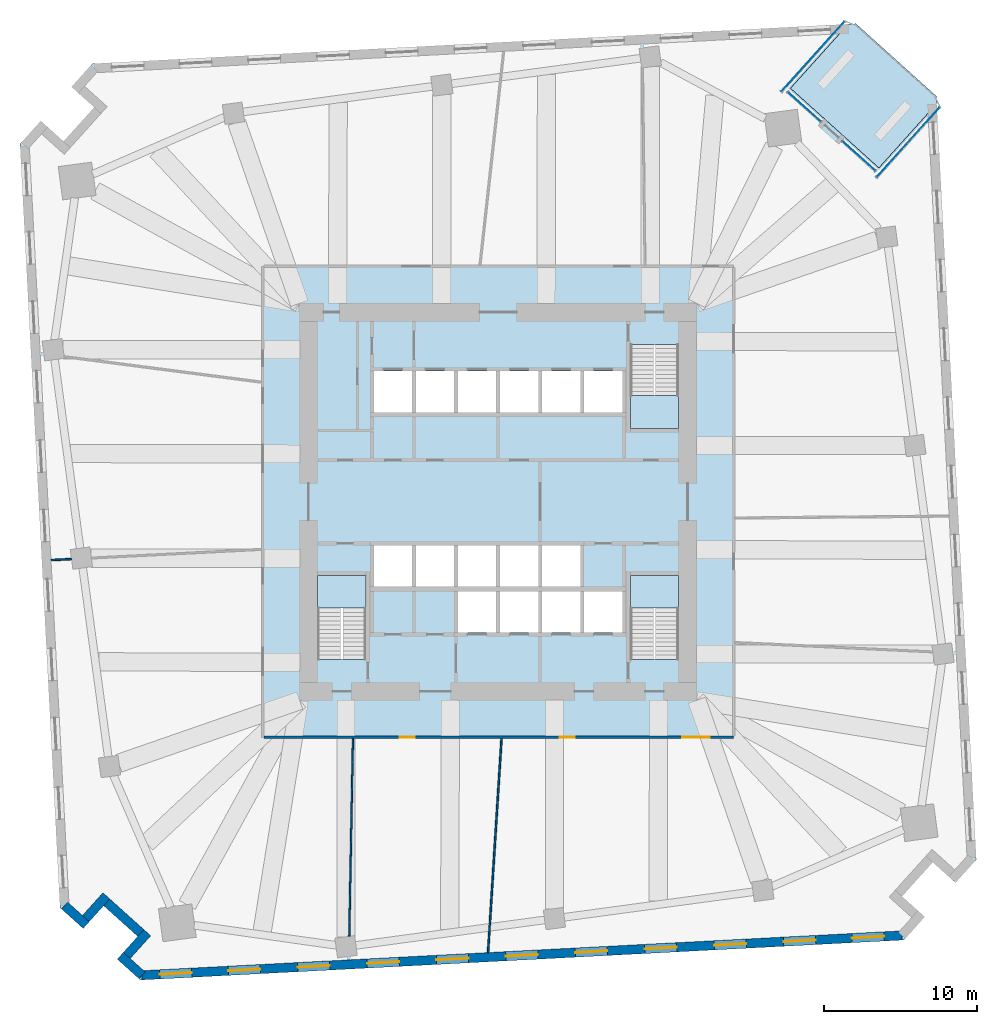
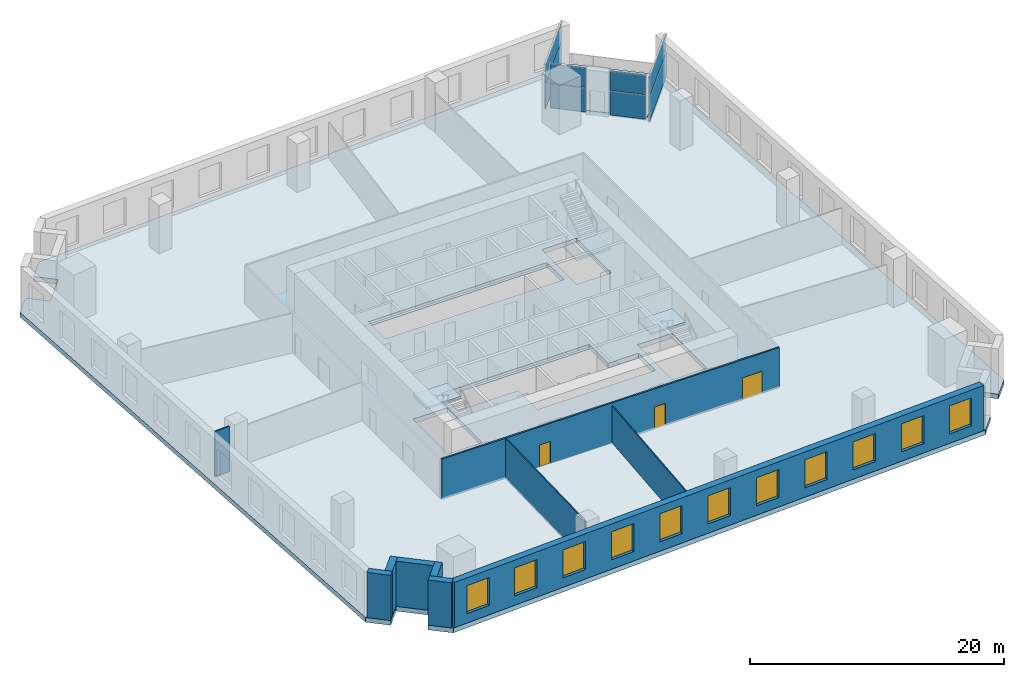
# One storey, part 3 of 10: 11 windows, 10 walls, 8 plates, 5 slabs, 3 doors, 14 openings, 7 elements without a shape of their own.
"""IFC4 building model written with IfcOpenShell, lengths in metres."""

from ifc_helpers import new_model, si_unit, direction, frame, frame_2d, origin, origin_2d, place, context, subcontext, project, spatial, polyline, rectangle, outline, extrude, material, layer, layer_set, type_object, element, fill, aggregate, save


model = new_model("IFC4")

# Units and contexts
model_context = context("Model", 3, precision=1e-05, world=origin(), true_north=direction((0.0, 1.0)))
body_context = subcontext(model_context, "Body", "Model", "MODEL_VIEW")
ifc_project = project(units=[si_unit("LENGTHUNIT", "METRE"), si_unit("AREAUNIT", "SQUARE_METRE"), si_unit("VOLUMEUNIT", "CUBIC_METRE"), si_unit("PLANEANGLEUNIT", "RADIAN"), si_unit("MASSUNIT", "GRAM", prefix="KILO")], contexts=[model_context])

# Site, building, storey
site_placement = place(None, origin())
site = spatial("IfcSite", under=ifc_project, at=site_placement, CompositionType="ELEMENT")
building_placement = place(site_placement, origin())
building = spatial("IfcBuilding", under=site, at=building_placement, Name="Dilmun Exchange Tower", CompositionType="ELEMENT")
storey_placement = place(building_placement, frame((0.0, 0.0, 27.300048828125)))
storey = spatial("IfcBuildingStorey", under=building, at=storey_placement, Name="L06", CompositionType="ELEMENT", Elevation=27.300048828125)

# Stair, slab
ifc_material_1 = material(Name="Concrete C40/50", Category="concrete")
stair_type = type_object("IfcStairType", Name="Exit stair 1500 half-turn", PredefinedType="HALF_TURN_STAIR", material=ifc_material_1)
stair_1_placement = place(storey_placement, origin())
stair_1 = element("IfcStair", 1, at=stair_1_placement, inside=storey, type_object=stair_type, Name="L06 Protected exit stair ST1", PredefinedType="HALF_TURN_STAIR")
ifc_layer_1 = layer(ifc_material_1, 0.199951171875)
ifc_layer_set_1 = layer_set([ifc_layer_1], Name="Concrete C40/50")
slab_type_1 = type_object("IfcSlabType", Name="Exit stair landing 200", PredefinedType="LANDING", material=ifc_layer_set_1)
slab_1_placement = place(storey_placement, frame((0.0, 0.0, 2.199951171875)))
slab_1 = element("IfcSlab", 2, at=slab_1_placement, type_object=slab_type_1, Name="ST1 landing 1", PredefinedType="LANDING", context=body_context, shape_type="SweptSolid", body=[
    extrude(outline(polyline([(8.64990234375, 6.93994140625), (8.64990234375, 4.800048828125), (11.800048828125, 4.800048828125), (11.800048828125, 6.93994140625), (8.64990234375, 6.93994140625)])), origin(), (0.0, 0.0, 1.0), 0.199951171875),
])
aggregate(stair_1, [slab_1])

stair_2_placement = place(storey_placement, origin())
stair_2 = element("IfcStair", 3, at=stair_2_placement, inside=storey, type_object=stair_type, Name="L06 Protected exit stair ST2", PredefinedType="HALF_TURN_STAIR")
slab_2_placement = place(storey_placement, frame((0.0, 0.0, 2.199951171875)))
slab_2 = element("IfcSlab", 4, at=slab_2_placement, type_object=slab_type_1, Name="ST2 landing 1", PredefinedType="LANDING", context=body_context, shape_type="SweptSolid", body=[
    extrude(outline(polyline([(-8.64990234375, -6.93994140625), (-8.64990234375, -4.800048828125), (-11.800048828125, -4.800048828125), (-11.800048828125, -6.93994140625), (-8.64990234375, -6.93994140625)])), origin(), (0.0, 0.0, 1.0), 0.199951171875),
])
aggregate(stair_2, [slab_2])

stair_3_placement = place(storey_placement, origin())
stair_3 = element("IfcStair", 5, at=stair_3_placement, inside=storey, type_object=stair_type, Name="L06 Protected exit stair ST3", PredefinedType="HALF_TURN_STAIR")
slab_3_placement = place(storey_placement, frame((0.0, 0.0, 2.199951171875)))
slab_3 = element("IfcSlab", 6, at=slab_3_placement, type_object=slab_type_1, Name="ST3 landing 1", PredefinedType="LANDING", context=body_context, shape_type="SweptSolid", body=[
    extrude(outline(polyline([(11.800048828125, -6.93994140625), (11.800048828125, -4.800048828125), (8.64990234375, -4.800048828125), (8.64990234375, -6.93994140625), (11.800048828125, -6.93994140625)])), origin(), (0.0, 0.0, 1.0), 0.199951171875),
])
aggregate(stair_3, [slab_3])

# Curtain wall, plates
ifc_material_2 = material(Name="Anodised aluminium and clear glass", Category="aluminium")
curtain_wall_type = type_object("IfcCurtainWallType", Name="Garden corner glazing", PredefinedType="NOTDEFINED", material=ifc_material_2)
curtain_wall_1_placement = place(storey_placement, origin())
curtain_wall_1 = element("IfcCurtainWall", 7, at=curtain_wall_1_placement, inside=storey, type_object=curtain_wall_type, Name="Garden corner glazing run GC1.1", PredefinedType="NOTDEFINED")
ifc_material_3 = material(Name="Clear glass", Category="glass")
ifc_layer_2 = layer(ifc_material_3, 0.028076171875)
ifc_layer_set_2 = layer_set([ifc_layer_2], Name="Clear glass")
plate_type = type_object("IfcPlateType", Name="Garden corner glazing glass panel 28", PredefinedType="CURTAIN_PANEL", material=ifc_layer_set_2)
plate_1_placement = place(storey_placement, frame((26.809814453125, 23.5146484375, 0.059814453125), z_axis=(0.0, 0.0, 1.0), x_axis=(-0.669124805296, -0.743150048737, 0.0)))
plate_1 = element("IfcPlate", 8, at=plate_1_placement, type_object=plate_type, Name="GC1.1 panel 1.1", PredefinedType="CURTAIN_PANEL", context=body_context, shape_type="SweptSolid", body=[
    extrude(rectangle(XDim=6.12646484375, YDim=0.028076171875, at=origin_2d()), origin(), (0.0, 0.0, 1.0), 2.31005859375),
])
plate_2_placement = place(storey_placement, frame((26.809814453125, 23.5146484375, 2.4296875), z_axis=(0.0, 0.0, 1.0), x_axis=(-0.669124805296, -0.743150048737, 0.0)))
plate_2 = element("IfcPlate", 9, at=plate_2_placement, type_object=plate_type, Name="GC1.1 panel 1.2", PredefinedType="CURTAIN_PANEL", context=body_context, shape_type="SweptSolid", body=[
    extrude(rectangle(XDim=6.12646484375, YDim=0.028076171875, at=origin_2d()), origin(), (0.0, 0.0, 1.0), 1.860107421875),
])
aggregate(curtain_wall_1, [plate_1, plate_2])

curtain_wall_2_placement = place(storey_placement, origin())
curtain_wall_2 = element("IfcCurtainWall", 10, at=curtain_wall_2_placement, inside=storey, type_object=curtain_wall_type, Name="Garden corner glazing run GC2.1", PredefinedType="NOTDEFINED")
plate_3_placement = place(storey_placement, frame((23.587158203125, 22.617431640625, 0.059814453125), z_axis=(0.0, 0.0, 1.0), x_axis=(-0.743139419367, 0.669136610404, 0.0)))
plate_3 = element("IfcPlate", 11, at=plate_3_placement, type_object=plate_type, Name="GC2.1 panel 1.1", PredefinedType="CURTAIN_PANEL", context=body_context, shape_type="SweptSolid", body=[
    extrude(rectangle(XDim=2.869140625, YDim=0.028076171875, at=origin_2d()), origin(), (0.0, 0.0, 1.0), 2.31005859375),
])
plate_4_placement = place(storey_placement, frame((23.587158203125, 22.617431640625, 2.4296875), z_axis=(0.0, 0.0, 1.0), x_axis=(-0.743139419367, 0.669136610404, 0.0)))
plate_4 = element("IfcPlate", 12, at=plate_4_placement, type_object=plate_type, Name="GC2.1 panel 1.2", PredefinedType="CURTAIN_PANEL", context=body_context, shape_type="SweptSolid", body=[
    extrude(rectangle(XDim=2.869140625, YDim=0.028076171875, at=origin_2d()), origin(), (0.0, 0.0, 1.0), 1.860107421875),
])
aggregate(curtain_wall_2, [plate_3, plate_4])

curtain_wall_3_placement = place(storey_placement, origin())
curtain_wall_3 = element("IfcCurtainWall", 13, at=curtain_wall_3_placement, inside=storey, type_object=curtain_wall_type, Name="Garden corner glazing run GC2.3", PredefinedType="NOTDEFINED")
plate_5_placement = place(storey_placement, frame((20.028076171875, 25.822021484375, 0.059814453125), z_axis=(0.0, 0.0, 1.0), x_axis=(-0.743156055484, 0.669118133962, 0.0)))
plate_5 = element("IfcPlate", 14, at=plate_5_placement, type_object=plate_type, Name="GC2.3 panel 1.1", PredefinedType="CURTAIN_PANEL", context=body_context, shape_type="SweptSolid", body=[
    extrude(rectangle(XDim=2.868896484375, YDim=0.028076171875, at=origin_2d()), origin(), (0.0, 0.0, 1.0), 2.31005859375),
])
plate_6_placement = place(storey_placement, frame((20.028076171875, 25.822021484375, 2.4296875), z_axis=(0.0, 0.0, 1.0), x_axis=(-0.743156055484, 0.669118133962, 0.0)))
plate_6 = element("IfcPlate", 15, at=plate_6_placement, type_object=plate_type, Name="GC2.3 panel 1.2", PredefinedType="CURTAIN_PANEL", context=body_context, shape_type="SweptSolid", body=[
    extrude(rectangle(XDim=2.868896484375, YDim=0.028076171875, at=origin_2d()), origin(), (0.0, 0.0, 1.0), 1.860107421875),
])
aggregate(curtain_wall_3, [plate_5, plate_6])

curtain_wall_4_placement = place(storey_placement, origin())
curtain_wall_4 = element("IfcCurtainWall", 16, at=curtain_wall_4_placement, inside=storey, type_object=curtain_wall_type, Name="Garden corner glazing run GC3.1", PredefinedType="NOTDEFINED")
plate_7_placement = place(storey_placement, frame((20.58349609375, 29.120849609375, 0.059814453125), z_axis=(0.0, 0.0, 1.0), x_axis=(0.669124805296, 0.743150048737, 0.0)))
plate_7 = element("IfcPlate", 17, at=plate_7_placement, type_object=plate_type, Name="GC3.1 panel 1.1", PredefinedType="CURTAIN_PANEL", context=body_context, shape_type="SweptSolid", body=[
    extrude(rectangle(XDim=6.12646484375, YDim=0.028076171875, at=origin_2d()), origin(), (0.0, 0.0, 1.0), 2.31005859375),
])
plate_8_placement = place(storey_placement, frame((20.58349609375, 29.120849609375, 2.4296875), z_axis=(0.0, 0.0, 1.0), x_axis=(0.669124805296, 0.743150048737, 0.0)))
plate_8 = element("IfcPlate", 18, at=plate_8_placement, type_object=plate_type, Name="GC3.1 panel 1.2", PredefinedType="CURTAIN_PANEL", context=body_context, shape_type="SweptSolid", body=[
    extrude(rectangle(XDim=6.12646484375, YDim=0.028076171875, at=origin_2d()), origin(), (0.0, 0.0, 1.0), 1.860107421875),
])
aggregate(curtain_wall_4, [plate_7, plate_8])

# Slabs
ifc_layer_3 = layer(ifc_material_1, 0.449951171875)
ifc_layer_set_3 = layer_set([ifc_layer_3], Name="Concrete C40/50")
slab_type_2 = type_object("IfcSlabType", Name="RC floor slab 450", PredefinedType="FLOOR", material=ifc_layer_set_3)
slab_4_placement = place(storey_placement, frame((0.0, 0.0, -0.449951171875)))
element("IfcSlab", 19, at=slab_4_placement, inside=storey, type_object=slab_type_2, Name="Floor slab", PredefinedType="FLOOR", context=body_context, shape_type="SweptSolid", body=[
    extrude(outline(polyline([(29.9052734375, -24.908447265625), (28.4189453125, -23.570068359375), (26.41162109375, -25.799560546875), (27.89794921875, -27.1376953125), (26.535888671875, -28.650390625), (-23.395751953125, -31.267333984375), (-24.908447265625, -29.9052734375), (-23.570068359375, -28.4189453125), (-25.799560546875, -26.41162109375), (-27.1376953125, -27.89794921875), (-28.650390625, -26.535888671875), (-31.267333984375, 23.395751953125), (-29.9052734375, 24.908447265625), (-28.4189453125, 23.570068359375), (-26.41162109375, 25.799560546875), (-27.89794921875, 27.1376953125), (-26.535888671875, 28.650390625), (22.896240234375, 31.2412109375), (19.1181640625, 27.044921875), (24.8984375, 21.84033203125), (28.6767578125, 26.03662109375), (31.267333984375, -23.395751953125), (29.9052734375, -24.908447265625)]), holes=[polyline([(-8.64990234375, -4.800048828125), (-11.800048828125, -4.800048828125), (-11.800048828125, -10.294921875), (-8.64990234375, -10.294921875), (-8.64990234375, -4.800048828125)]), polyline([(11.800048828125, -4.800048828125), (8.64990234375, -4.800048828125), (8.64990234375, -10.294921875), (11.800048828125, -10.294921875), (11.800048828125, -4.800048828125)]), polyline([(-8.125, -2.85009765625), (-8.125, -5.550048828125), (-2.625, -5.550048828125), (-2.625, -8.550048828125), (8.125, -8.550048828125), (8.125, -5.85009765625), (5.375, -5.85009765625), (5.375, -2.85009765625), (-8.125, -2.85009765625)]), polyline([(-8.125, 5.85009765625), (8.125, 5.85009765625), (8.125, 8.550048828125), (-8.125, 8.550048828125), (-8.125, 5.85009765625)]), polyline([(8.64990234375, 10.294921875), (8.64990234375, 4.800048828125), (11.800048828125, 4.800048828125), (11.800048828125, 10.294921875), (8.64990234375, 10.294921875)])]), origin(), (0.0, 0.0, 1.0), 0.449951171875),
])
ifc_layer_4 = layer(ifc_material_1, 0.300048828125)
ifc_layer_set_4 = layer_set([ifc_layer_4], Name="Concrete C40/50")
slab_type_3 = type_object("IfcSlabType", Name="RC garden terrace slab 300", PredefinedType="FLOOR", material=ifc_layer_set_4)
slab_5_placement = place(storey_placement, frame((0.0, 0.0, -0.300048828125)))
element("IfcSlab", 20, at=slab_5_placement, inside=storey, type_object=slab_type_3, Name="Garden terrace slab", PredefinedType="FLOOR", context=body_context, shape_type="SweptSolid", body=[
    extrude(outline(polyline([(19.1181640625, 27.044921875), (22.896240234375, 31.2412109375), (23.395751953125, 31.267333984375), (28.650390625, 26.535888671875), (28.6767578125, 26.03662109375), (24.8984375, 21.84033203125), (19.1181640625, 27.044921875)])), origin(), (0.0, 0.0, 1.0), 0.300048828125),
])

# Wall, openings, doors
ifc_material_4 = material(Name="Corridor wall 150")
ifc_layer_5 = layer(ifc_material_4, 0.14990234375)
ifc_layer_set_5 = layer_set([ifc_layer_5], Name="Corridor wall 150")
wall_type_1 = type_object("IfcWallType", Name="Corridor wall 150", PredefinedType="PARTITIONING", material=ifc_layer_set_5)
wall_1_placement = place(storey_placement, frame((-15.324951171875, -15.39990234375, 0.0), z_axis=(0.0, 0.0, 1.0), x_axis=(1.0, 0.0, 0.0)))
wall_1 = element("IfcWall", 21, at=wall_1_placement, inside=storey, type_object=wall_type_1, Name="Corridor wall", PredefinedType="PARTITIONING", context=body_context, shape_type="SweptSolid", body=[
    extrude(rectangle(XDim=30.724853515625, YDim=0.14990234375, at=frame_2d((15.3623046875, 0.0))), origin(), (0.0, 0.0, 1.0), 3.849853515625),
])
opening_1_placement = place(wall_1_placement, frame((8.88037109375, 0.0, 0.0)))
opening_1 = element("IfcOpeningElement", 22, at=opening_1_placement, cuts=wall_1, Name="Opening TF05-D07", PredefinedType="OPENING", context=body_context, shape_type="SweptSolid", body=[
    extrude(rectangle(XDim=1.0, YDim=2.10009765625, at=frame_2d((0.5, 1.050048828125))), frame((0.0, 0.0849609375, 0.0), z_axis=(0.0, -1.0, 0.0), x_axis=(1.0, 0.0, 0.0)), (0.0, 0.0, 1.0), 0.169921875),
])
opening_2_placement = place(wall_1_placement, frame((27.348388671875, 0.0, 0.0)))
opening_2 = element("IfcOpeningElement", 23, at=opening_2_placement, cuts=wall_1, Name="Opening TF05-D09", PredefinedType="OPENING", context=body_context, shape_type="SweptSolid", body=[
    extrude(rectangle(XDim=1.800048828125, YDim=2.10009765625, at=frame_2d((0.89990234375, 1.050048828125))), frame((0.0, 0.0849609375, 0.0), z_axis=(0.0, -1.0, 0.0), x_axis=(1.0, 0.0, 0.0)), (0.0, 0.0, 1.0), 0.169921875),
])
opening_3_placement = place(wall_1_placement, frame((19.348388671875, 0.0, 0.0)))
opening_3 = element("IfcOpeningElement", 24, at=opening_3_placement, cuts=wall_1, Name="Opening TF05-D10", PredefinedType="OPENING", context=body_context, shape_type="SweptSolid", body=[
    extrude(rectangle(XDim=1.0, YDim=2.10009765625, at=frame_2d((0.5, 1.050048828125))), frame((0.0, 0.0849609375, 0.0), z_axis=(0.0, -1.0, 0.0), x_axis=(1.0, 0.0, 0.0)), (0.0, 0.0, 1.0), 0.169921875),
])
ifc_material_5 = material(Name="Fire door 1000 x 2100")
door_type_1 = type_object("IfcDoorType", Name="Fire door 1000 x 2100", OperationType="NOTDEFINED", PredefinedType="DOOR", material=ifc_material_5)
door_1_placement = place(opening_1_placement, frame((1.0, 0.0, 0.0), z_axis=(0.0, 0.0, 1.0), x_axis=(-1.0, 0.0, 0.0)))
door_1 = element("IfcDoor", 25, at=door_1_placement, inside=storey, type_object=door_type_1, Name="Door TF05-D07", OperationType="SINGLE_SWING_LEFT", OverallHeight=2.10009765625, OverallWidth=1.0, PredefinedType="DOOR", context=body_context, shape_type="SweptSolid", body=[
    extrude(rectangle(XDim=1.0, YDim=2.10009765625, at=frame_2d((0.5, 1.050048828125))), frame((0.0, 0.02490234375, 0.0), z_axis=(0.0, -1.0, 0.0), x_axis=(1.0, 0.0, 0.0)), (0.0, 0.0, 1.0), 0.050048828125),
])
fill(opening_1, door_1)
door_2_placement = place(opening_3_placement, frame((1.0, 0.0, 0.0), z_axis=(0.0, 0.0, 1.0), x_axis=(-1.0, 0.0, 0.0)))
door_2 = element("IfcDoor", 26, at=door_2_placement, inside=storey, type_object=door_type_1, Name="Door TF05-D10", OperationType="SINGLE_SWING_RIGHT", OverallHeight=2.10009765625, OverallWidth=1.0, PredefinedType="DOOR", context=body_context, shape_type="SweptSolid", body=[
    extrude(rectangle(XDim=1.0, YDim=2.10009765625, at=frame_2d((0.5, 1.050048828125))), frame((0.0, 0.02490234375, 0.0), z_axis=(0.0, -1.0, 0.0), x_axis=(1.0, 0.0, 0.0)), (0.0, 0.0, 1.0), 0.050048828125),
])
fill(opening_3, door_2)
ifc_material_6 = material(Name="Fire door pair 1800 x 2100")
door_type_2 = type_object("IfcDoorType", Name="Fire door pair 1800 x 2100", OperationType="NOTDEFINED", PredefinedType="DOOR", material=ifc_material_6)
door_3_placement = place(opening_2_placement, frame((1.800048828125, 0.0, 0.0), z_axis=(0.0, 0.0, 1.0), x_axis=(-1.0, 0.0, 0.0)))
door_3 = element("IfcDoor", 27, at=door_3_placement, inside=storey, type_object=door_type_2, Name="Door TF05-D09", OperationType="DOUBLE_DOOR_SINGLE_SWING", OverallHeight=2.10009765625, OverallWidth=1.800048828125, PredefinedType="DOOR", context=body_context, shape_type="SweptSolid", body=[
    extrude(rectangle(XDim=1.800048828125, YDim=2.10009765625, at=frame_2d((0.89990234375, 1.050048828125))), frame((0.0, 0.02490234375, 0.0), z_axis=(0.0, -1.0, 0.0), x_axis=(1.0, 0.0, 0.0)), (0.0, 0.0, 1.0), 0.050048828125),
])
fill(opening_2, door_3)

# Walls
ifc_material_7 = material(Name="Partition 100")
ifc_layer_6 = layer(ifc_material_7, 0.10009765625)
ifc_layer_set_6 = layer_set([ifc_layer_6], Name="Partition 100")
wall_type_2 = type_object("IfcWallType", Name="Partition 100", PredefinedType="PARTITIONING", material=ifc_layer_set_6)
wall_2_placement = place(storey_placement, frame((-29.23876953125, -3.809326171875, 0.0), z_axis=(0.0, 0.0, 1.0), x_axis=(0.998716183263, 0.050655555363, 0.0)))
element("IfcWall", 28, at=wall_2_placement, inside=storey, type_object=wall_type_2, Name="Partition", PredefinedType="PARTITIONING", context=body_context, shape_type="SweptSolid", body=[
    extrude(rectangle(XDim=1.33984375, YDim=0.10009765625, at=frame_2d((0.669921875, 0.0))), origin(), (0.0, 0.0, 1.0), 4.349853515625),
])
wall_3_placement = place(storey_placement, frame((-9.73779296875, -28.4091796875, 0.0), z_axis=(0.0, 0.0, 1.0), x_axis=(0.01874139866, 0.999824364564, 0.0)))
element("IfcWall", 29, at=wall_3_placement, inside=storey, type_object=wall_type_2, Name="Partition", PredefinedType="PARTITIONING", context=body_context, shape_type="SweptSolid", body=[
    extrude(rectangle(XDim=12.935546875, YDim=0.10009765625, at=frame_2d((6.4677734375, 0.0))), origin(), (0.0, 0.0, 1.0), 3.849853515625),
])
wall_4_placement = place(storey_placement, frame((-0.661865234375, -29.472900390625, 0.0), z_axis=(0.0, 0.0, 1.0), x_axis=(0.06297334424, 0.99801520926, 0.0)))
element("IfcWall", 30, at=wall_4_placement, inside=storey, type_object=wall_type_2, Name="Partition", PredefinedType="PARTITIONING", context=body_context, shape_type="SweptSolid", body=[
    extrude(rectangle(XDim=14.022705078125, YDim=0.10009765625, at=frame_2d((7.01123046875, 0.0))), origin(), (0.0, 0.0, 1.0), 3.550048828125),
])
ifc_material_8 = material(Name="Precast concrete C50/60", Category="concrete")
ifc_layer_7 = layer(ifc_material_8, 0.60009765625)
ifc_layer_set_7 = layer_set([ifc_layer_7], Name="Precast concrete C50/60")
wall_type_3 = type_object("IfcWallType", Name="Precast stone-clad wall 600", PredefinedType="STANDARD", material=ifc_layer_set_7)
wall_5_placement = place(storey_placement, frame((-28.357421875, -26.39599609375, 0.0), z_axis=(0.0, 0.0, 1.0), x_axis=(0.743179806334, -0.669091754139, 0.0)))
element("IfcWall", 31, at=wall_5_placement, inside=storey, type_object=wall_type_3, Name="Facade wall L06-10", PredefinedType="STANDARD", context=body_context, shape_type="SweptSolid", body=[
    extrude(rectangle(XDim=1.911376953125, YDim=0.60009765625, at=frame_2d((0.95556640625, 0.0))), origin(), (0.0, 0.0, 1.0), 4.349853515625),
])
wall_6_placement = place(storey_placement, frame((-26.959228515625, -27.251220703125, 0.0), z_axis=(0.0, 0.0, 1.0), x_axis=(0.669086121991, 0.743184876971, 0.0)))
element("IfcWall", 32, at=wall_6_placement, inside=storey, type_object=wall_type_3, Name="Facade wall L06-11", PredefinedType="STANDARD", context=body_context, shape_type="SweptSolid", body=[
    extrude(rectangle(XDim=2.0, YDim=0.60009765625, at=frame_2d((1.0, 0.0))), origin(), (0.0, 0.0, 1.0), 4.349853515625),
])
wall_7_placement = place(storey_placement, frame((-25.598876953125, -26.188720703125, 0.0), z_axis=(0.0, 0.0, 1.0), x_axis=(0.743164643271, -0.669108595814, 0.0)))
element("IfcWall", 33, at=wall_7_placement, inside=storey, type_object=wall_type_3, Name="Facade wall L06-12", PredefinedType="STANDARD", context=body_context, shape_type="SweptSolid", body=[
    extrude(rectangle(XDim=3.0, YDim=0.60009765625, at=frame_2d((1.5, 0.0))), origin(), (0.0, 0.0, 1.0), 4.349853515625),
])
wall_8_placement = place(storey_placement, frame((-22.94580078125, -28.173828125, 0.0), z_axis=(0.0, 0.0, 1.0), x_axis=(-0.669086121991, -0.743184876971, 0.0)))
element("IfcWall", 34, at=wall_8_placement, inside=storey, type_object=wall_type_3, Name="Facade wall L06-13", PredefinedType="STANDARD", context=body_context, shape_type="SweptSolid", body=[
    extrude(rectangle(XDim=2.0, YDim=0.60009765625, at=frame_2d((1.0, 0.0))), origin(), (0.0, 0.0, 1.0), 4.349853515625),
])
wall_9_placement = place(storey_placement, frame((-24.70751953125, -29.682373046875, 0.0), z_axis=(0.0, 0.0, 1.0), x_axis=(0.743122611951, -0.669155276156, 0.0)))
element("IfcWall", 35, at=wall_9_placement, inside=storey, type_object=wall_type_3, Name="Facade wall L06-14", PredefinedType="STANDARD", context=body_context, shape_type="SweptSolid", body=[
    extrude(rectangle(XDim=1.9111328125, YDim=0.60009765625, at=frame_2d((0.95556640625, 0.0))), origin(), (0.0, 0.0, 1.0), 4.349853515625),
])

# Wall, openings, windows
wall_10_placement = place(storey_placement, frame((-23.287353515625, -30.961181640625, 0.0), z_axis=(0.0, 0.0, 1.0), x_axis=(0.998629570739, 0.052335269612, 0.0)))
wall_10 = element("IfcWall", 36, at=wall_10_placement, inside=storey, type_object=wall_type_3, Name="Facade wall L06-15", PredefinedType="STANDARD", context=body_context, shape_type="SweptSolid", body=[
    extrude(rectangle(XDim=49.75146484375, YDim=0.60009765625, at=frame_2d((24.875732421875, 0.0))), origin(), (0.0, 0.0, 1.0), 4.349853515625),
])
opening_4_placement = place(wall_10_placement, frame((1.16064453125, 0.0, 0.89990234375)))
opening_4 = element("IfcOpeningElement", 37, at=opening_4_placement, cuts=wall_10, Name="Opening W210-270", PredefinedType="OPENING", context=body_context, shape_type="SweptSolid", body=[
    extrude(rectangle(XDim=2.10009765625, YDim=2.699951171875, at=frame_2d((1.050048828125, 1.35009765625))), frame((0.0, 0.31005859375, 0.0), z_axis=(0.0, -1.0, 0.0), x_axis=(1.0, 0.0, 0.0)), (0.0, 0.0, 1.0), 0.6201171875),
])
opening_5_placement = place(wall_10_placement, frame((5.643798828125, 0.0, 0.89990234375)))
opening_5 = element("IfcOpeningElement", 38, at=opening_5_placement, cuts=wall_10, Name="Opening W210-270", PredefinedType="OPENING", context=body_context, shape_type="SweptSolid", body=[
    extrude(rectangle(XDim=2.10009765625, YDim=2.699951171875, at=frame_2d((1.050048828125, 1.35009765625))), frame((0.0, 0.31005859375, 0.0), z_axis=(0.0, -1.0, 0.0), x_axis=(1.0, 0.0, 0.0)), (0.0, 0.0, 1.0), 0.6201171875),
])
opening_6_placement = place(wall_10_placement, frame((10.189453125, 0.0, 0.89990234375)))
opening_6 = element("IfcOpeningElement", 39, at=opening_6_placement, cuts=wall_10, Name="Opening W210-270", PredefinedType="OPENING", context=body_context, shape_type="SweptSolid", body=[
    extrude(rectangle(XDim=2.10009765625, YDim=2.699951171875, at=frame_2d((1.050048828125, 1.35009765625))), frame((0.0, 0.31005859375, 0.0), z_axis=(0.0, -1.0, 0.0), x_axis=(1.0, 0.0, 0.0)), (0.0, 0.0, 1.0), 0.6201171875),
])
opening_7_placement = place(wall_10_placement, frame((14.73486328125, 0.0, 0.89990234375)))
opening_7 = element("IfcOpeningElement", 40, at=opening_7_placement, cuts=wall_10, Name="Opening W210-270", PredefinedType="OPENING", context=body_context, shape_type="SweptSolid", body=[
    extrude(rectangle(XDim=2.10009765625, YDim=2.699951171875, at=frame_2d((1.050048828125, 1.35009765625))), frame((0.0, 0.31005859375, 0.0), z_axis=(0.0, -1.0, 0.0), x_axis=(1.0, 0.0, 0.0)), (0.0, 0.0, 1.0), 0.6201171875),
])
opening_8_placement = place(wall_10_placement, frame((19.2802734375, 0.0, 0.89990234375)))
opening_8 = element("IfcOpeningElement", 41, at=opening_8_placement, cuts=wall_10, Name="Opening W210-270", PredefinedType="OPENING", context=body_context, shape_type="SweptSolid", body=[
    extrude(rectangle(XDim=2.10009765625, YDim=2.699951171875, at=frame_2d((1.050048828125, 1.35009765625))), frame((0.0, 0.31005859375, 0.0), z_axis=(0.0, -1.0, 0.0), x_axis=(1.0, 0.0, 0.0)), (0.0, 0.0, 1.0), 0.6201171875),
])
opening_9_placement = place(wall_10_placement, frame((23.82568359375, 0.0, 0.89990234375)))
opening_9 = element("IfcOpeningElement", 42, at=opening_9_placement, cuts=wall_10, Name="Opening W210-270", PredefinedType="OPENING", context=body_context, shape_type="SweptSolid", body=[
    extrude(rectangle(XDim=2.10009765625, YDim=2.699951171875, at=frame_2d((1.050048828125, 1.35009765625))), frame((0.0, 0.31005859375, 0.0), z_axis=(0.0, -1.0, 0.0), x_axis=(1.0, 0.0, 0.0)), (0.0, 0.0, 1.0), 0.6201171875),
])
opening_10_placement = place(wall_10_placement, frame((28.37109375, 0.0, 0.89990234375)))
opening_10 = element("IfcOpeningElement", 43, at=opening_10_placement, cuts=wall_10, Name="Opening W210-270", PredefinedType="OPENING", context=body_context, shape_type="SweptSolid", body=[
    extrude(rectangle(XDim=2.10009765625, YDim=2.699951171875, at=frame_2d((1.050048828125, 1.35009765625))), frame((0.0, 0.31005859375, 0.0), z_axis=(0.0, -1.0, 0.0), x_axis=(1.0, 0.0, 0.0)), (0.0, 0.0, 1.0), 0.6201171875),
])
opening_11_placement = place(wall_10_placement, frame((32.91650390625, 0.0, 0.89990234375)))
opening_11 = element("IfcOpeningElement", 44, at=opening_11_placement, cuts=wall_10, Name="Opening W210-270", PredefinedType="OPENING", context=body_context, shape_type="SweptSolid", body=[
    extrude(rectangle(XDim=2.10009765625, YDim=2.699951171875, at=frame_2d((1.050048828125, 1.35009765625))), frame((0.0, 0.31005859375, 0.0), z_axis=(0.0, -1.0, 0.0), x_axis=(1.0, 0.0, 0.0)), (0.0, 0.0, 1.0), 0.6201171875),
])
opening_12_placement = place(wall_10_placement, frame((37.462158203125, 0.0, 0.89990234375)))
opening_12 = element("IfcOpeningElement", 45, at=opening_12_placement, cuts=wall_10, Name="Opening W210-270", PredefinedType="OPENING", context=body_context, shape_type="SweptSolid", body=[
    extrude(rectangle(XDim=2.10009765625, YDim=2.699951171875, at=frame_2d((1.050048828125, 1.35009765625))), frame((0.0, 0.31005859375, 0.0), z_axis=(0.0, -1.0, 0.0), x_axis=(1.0, 0.0, 0.0)), (0.0, 0.0, 1.0), 0.6201171875),
])
opening_13_placement = place(wall_10_placement, frame((42.007568359375, 0.0, 0.89990234375)))
opening_13 = element("IfcOpeningElement", 46, at=opening_13_placement, cuts=wall_10, Name="Opening W210-270", PredefinedType="OPENING", context=body_context, shape_type="SweptSolid", body=[
    extrude(rectangle(XDim=2.10009765625, YDim=2.699951171875, at=frame_2d((1.050048828125, 1.35009765625))), frame((0.0, 0.31005859375, 0.0), z_axis=(0.0, -1.0, 0.0), x_axis=(1.0, 0.0, 0.0)), (0.0, 0.0, 1.0), 0.6201171875),
])
opening_14_placement = place(wall_10_placement, frame((46.490966796875, 0.0, 0.89990234375)))
opening_14 = element("IfcOpeningElement", 47, at=opening_14_placement, cuts=wall_10, Name="Opening W210-270", PredefinedType="OPENING", context=body_context, shape_type="SweptSolid", body=[
    extrude(rectangle(XDim=2.10009765625, YDim=2.699951171875, at=frame_2d((1.050048828125, 1.35009765625))), frame((0.0, 0.31005859375, 0.0), z_axis=(0.0, -1.0, 0.0), x_axis=(1.0, 0.0, 0.0)), (0.0, 0.0, 1.0), 0.6201171875),
])
ifc_material_9 = material(Name="Clear low-emissivity glass in aluminium frame", Category="aluminium")
window_type = type_object("IfcWindowType", Name="Punched window 2100 x 2700", PartitioningType="DOUBLE_PANEL_VERTICAL", PredefinedType="WINDOW", material=ifc_material_9)
window_1_placement = place(opening_4_placement, origin())
window_1 = element("IfcWindow", 48, at=window_1_placement, inside=storey, type_object=window_type, Name="Window 16.1", OverallHeight=2.699951171875, OverallWidth=2.10009765625, PartitioningType="SINGLE_PANEL", PredefinedType="WINDOW", context=body_context, shape_type="SweptSolid", body=[
    extrude(rectangle(XDim=2.10009765625, YDim=2.699951171875, at=frame_2d((1.050048828125, 1.35009765625))), frame((0.0, 0.030029296875, 0.0), z_axis=(0.0, -1.0, 0.0), x_axis=(1.0, 0.0, 0.0)), (0.0, 0.0, 1.0), 0.06005859375),
])
fill(opening_4, window_1)
window_2_placement = place(opening_5_placement, origin())
window_2 = element("IfcWindow", 49, at=window_2_placement, inside=storey, type_object=window_type, Name="Window 16.2", OverallHeight=2.699951171875, OverallWidth=2.10009765625, PartitioningType="SINGLE_PANEL", PredefinedType="WINDOW", context=body_context, shape_type="SweptSolid", body=[
    extrude(rectangle(XDim=2.10009765625, YDim=2.699951171875, at=frame_2d((1.050048828125, 1.35009765625))), frame((0.0, 0.030029296875, 0.0), z_axis=(0.0, -1.0, 0.0), x_axis=(1.0, 0.0, 0.0)), (0.0, 0.0, 1.0), 0.06005859375),
])
fill(opening_5, window_2)
window_3_placement = place(opening_6_placement, origin())
window_3 = element("IfcWindow", 50, at=window_3_placement, inside=storey, type_object=window_type, Name="Window 16.3", OverallHeight=2.699951171875, OverallWidth=2.10009765625, PartitioningType="SINGLE_PANEL", PredefinedType="WINDOW", context=body_context, shape_type="SweptSolid", body=[
    extrude(rectangle(XDim=2.10009765625, YDim=2.699951171875, at=frame_2d((1.050048828125, 1.35009765625))), frame((0.0, 0.030029296875, 0.0), z_axis=(0.0, -1.0, 0.0), x_axis=(1.0, 0.0, 0.0)), (0.0, 0.0, 1.0), 0.06005859375),
])
fill(opening_6, window_3)
window_4_placement = place(opening_7_placement, origin())
window_4 = element("IfcWindow", 51, at=window_4_placement, inside=storey, type_object=window_type, Name="Window 16.4", OverallHeight=2.699951171875, OverallWidth=2.10009765625, PartitioningType="SINGLE_PANEL", PredefinedType="WINDOW", context=body_context, shape_type="SweptSolid", body=[
    extrude(rectangle(XDim=2.10009765625, YDim=2.699951171875, at=frame_2d((1.050048828125, 1.35009765625))), frame((0.0, 0.030029296875, 0.0), z_axis=(0.0, -1.0, 0.0), x_axis=(1.0, 0.0, 0.0)), (0.0, 0.0, 1.0), 0.06005859375),
])
fill(opening_7, window_4)
window_5_placement = place(opening_8_placement, origin())
window_5 = element("IfcWindow", 52, at=window_5_placement, inside=storey, type_object=window_type, Name="Window 16.5", OverallHeight=2.699951171875, OverallWidth=2.10009765625, PartitioningType="SINGLE_PANEL", PredefinedType="WINDOW", context=body_context, shape_type="SweptSolid", body=[
    extrude(rectangle(XDim=2.10009765625, YDim=2.699951171875, at=frame_2d((1.050048828125, 1.35009765625))), frame((0.0, 0.030029296875, 0.0), z_axis=(0.0, -1.0, 0.0), x_axis=(1.0, 0.0, 0.0)), (0.0, 0.0, 1.0), 0.06005859375),
])
fill(opening_8, window_5)
window_6_placement = place(opening_9_placement, origin())
window_6 = element("IfcWindow", 53, at=window_6_placement, inside=storey, type_object=window_type, Name="Window 16.6", OverallHeight=2.699951171875, OverallWidth=2.10009765625, PartitioningType="SINGLE_PANEL", PredefinedType="WINDOW", context=body_context, shape_type="SweptSolid", body=[
    extrude(rectangle(XDim=2.10009765625, YDim=2.699951171875, at=frame_2d((1.050048828125, 1.35009765625))), frame((0.0, 0.030029296875, 0.0), z_axis=(0.0, -1.0, 0.0), x_axis=(1.0, 0.0, 0.0)), (0.0, 0.0, 1.0), 0.06005859375),
])
fill(opening_9, window_6)
window_7_placement = place(opening_10_placement, origin())
window_7 = element("IfcWindow", 54, at=window_7_placement, inside=storey, type_object=window_type, Name="Window 16.7", OverallHeight=2.699951171875, OverallWidth=2.10009765625, PartitioningType="SINGLE_PANEL", PredefinedType="WINDOW", context=body_context, shape_type="SweptSolid", body=[
    extrude(rectangle(XDim=2.10009765625, YDim=2.699951171875, at=frame_2d((1.050048828125, 1.35009765625))), frame((0.0, 0.030029296875, 0.0), z_axis=(0.0, -1.0, 0.0), x_axis=(1.0, 0.0, 0.0)), (0.0, 0.0, 1.0), 0.06005859375),
])
fill(opening_10, window_7)
window_8_placement = place(opening_11_placement, origin())
window_8 = element("IfcWindow", 55, at=window_8_placement, inside=storey, type_object=window_type, Name="Window 16.8", OverallHeight=2.699951171875, OverallWidth=2.10009765625, PartitioningType="SINGLE_PANEL", PredefinedType="WINDOW", context=body_context, shape_type="SweptSolid", body=[
    extrude(rectangle(XDim=2.10009765625, YDim=2.699951171875, at=frame_2d((1.050048828125, 1.35009765625))), frame((0.0, 0.030029296875, 0.0), z_axis=(0.0, -1.0, 0.0), x_axis=(1.0, 0.0, 0.0)), (0.0, 0.0, 1.0), 0.06005859375),
])
fill(opening_11, window_8)
window_9_placement = place(opening_12_placement, origin())
window_9 = element("IfcWindow", 56, at=window_9_placement, inside=storey, type_object=window_type, Name="Window 16.9", OverallHeight=2.699951171875, OverallWidth=2.10009765625, PartitioningType="SINGLE_PANEL", PredefinedType="WINDOW", context=body_context, shape_type="SweptSolid", body=[
    extrude(rectangle(XDim=2.10009765625, YDim=2.699951171875, at=frame_2d((1.050048828125, 1.35009765625))), frame((0.0, 0.030029296875, 0.0), z_axis=(0.0, -1.0, 0.0), x_axis=(1.0, 0.0, 0.0)), (0.0, 0.0, 1.0), 0.06005859375),
])
fill(opening_12, window_9)
window_10_placement = place(opening_13_placement, origin())
window_10 = element("IfcWindow", 57, at=window_10_placement, inside=storey, type_object=window_type, Name="Window 16.10", OverallHeight=2.699951171875, OverallWidth=2.10009765625, PartitioningType="SINGLE_PANEL", PredefinedType="WINDOW", context=body_context, shape_type="SweptSolid", body=[
    extrude(rectangle(XDim=2.10009765625, YDim=2.699951171875, at=frame_2d((1.050048828125, 1.35009765625))), frame((0.0, 0.030029296875, 0.0), z_axis=(0.0, -1.0, 0.0), x_axis=(1.0, 0.0, 0.0)), (0.0, 0.0, 1.0), 0.06005859375),
])
fill(opening_13, window_10)
window_11_placement = place(opening_14_placement, origin())
window_11 = element("IfcWindow", 58, at=window_11_placement, inside=storey, type_object=window_type, Name="Window 16.11", OverallHeight=2.699951171875, OverallWidth=2.10009765625, PartitioningType="SINGLE_PANEL", PredefinedType="WINDOW", context=body_context, shape_type="SweptSolid", body=[
    extrude(rectangle(XDim=2.10009765625, YDim=2.699951171875, at=frame_2d((1.050048828125, 1.35009765625))), frame((0.0, 0.030029296875, 0.0), z_axis=(0.0, -1.0, 0.0), x_axis=(1.0, 0.0, 0.0)), (0.0, 0.0, 1.0), 0.06005859375),
])
fill(opening_14, window_11)

save(model, "model.ifc")
